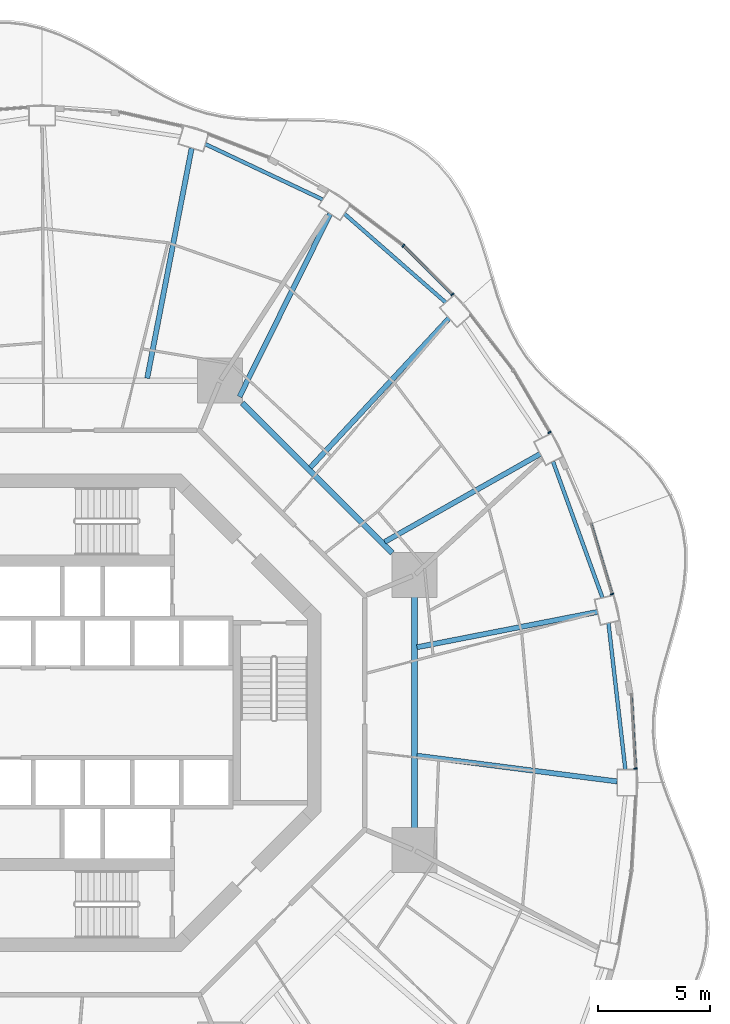
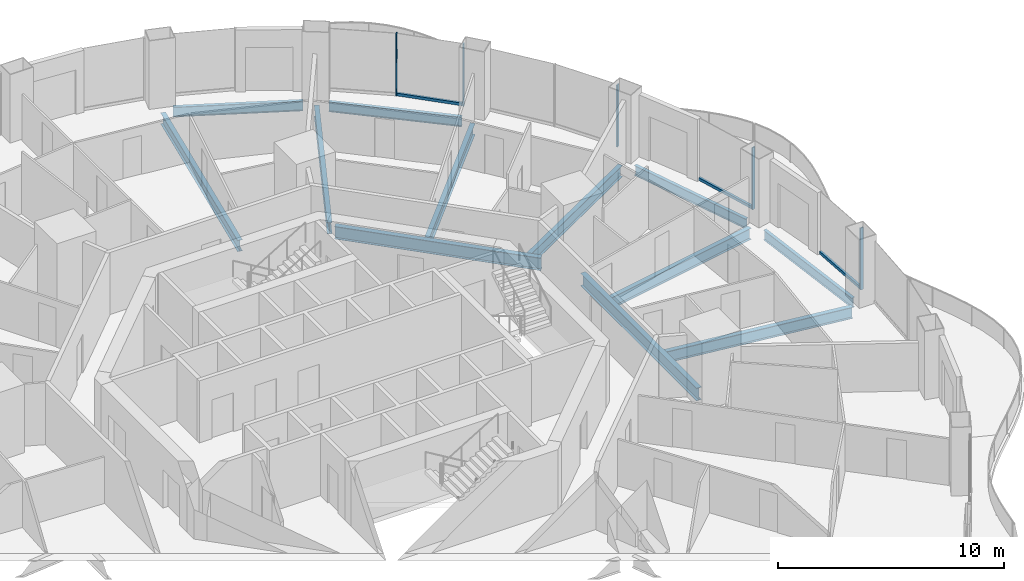
# One storey, part 9 of 21: 12 beams, 8 members, 5 elements without a shape of their own.
"""IFC4 building model written with IfcOpenShell, lengths in metres."""

from ifc_helpers import new_model, si_unit, direction, frame, origin, origin_2d, place, context, subcontext, project, spatial, rectangle, i_section, extrude, material, layer, layer_set, material_profile, profile_set, type_object, element, aggregate, save


model = new_model("IFC4")

# Units and contexts
model_context = context("Model", 3, precision=1e-05, world=origin(), true_north=direction((0.0, 1.0)))
body_context = subcontext(model_context, "Body", "Model", "MODEL_VIEW")
ifc_project = project(units=[si_unit("LENGTHUNIT", "METRE"), si_unit("AREAUNIT", "SQUARE_METRE"), si_unit("VOLUMEUNIT", "CUBIC_METRE"), si_unit("PLANEANGLEUNIT", "RADIAN"), si_unit("MASSUNIT", "GRAM", prefix="KILO")], contexts=[model_context])

# Site, building, storey
site_placement = place(None, origin())
site = spatial("IfcSite", under=ifc_project, at=site_placement, CompositionType="ELEMENT")
building_placement = place(site_placement, origin())
building = spatial("IfcBuilding", under=site, at=building_placement, Name="Nagisa Residences", CompositionType="ELEMENT")
storey_placement = place(building_placement, frame((0.0, 0.0, 156.60009765625)))
storey = spatial("IfcBuildingStorey", under=building, at=storey_placement, Name="L39", CompositionType="ELEMENT", Elevation=156.60009765625)

# Curtain wall, member
ifc_material_1 = material(Name="Concrete-coloured aluminium curtain wall system", Category="concrete")
ifc_layer = layer(ifc_material_1, 0.159912109375)
ifc_layer_set = layer_set([ifc_layer], Name="CW1 CURTAIN WALL")
curtain_wall_type = type_object("IfcCurtainWallType", Name="CW1 CURTAIN WALL", PredefinedType="NOTDEFINED", material=ifc_layer_set)
curtain_wall_1_placement = place(storey_placement, origin())
curtain_wall_1 = element("IfcCurtainWall", 1, at=curtain_wall_1_placement, inside=storey, type_object=curtain_wall_type, Name="cw:CW1:L39:00", PredefinedType="NOTDEFINED")
ifc_material_2 = material(Name="Concrete-coloured aluminium", Category="concrete")
ifc_material_profile_1 = material_profile(ifc_material_2, rectangle(XDim=0.159912109375, YDim=0.06005859375, at=origin_2d()), Name="CW1 MULLION 160x60")
ifc_profile_set_1 = profile_set([ifc_material_profile_1], Name="Concrete-coloured aluminium")
member_type_1 = type_object("IfcMemberType", Name="CW1 MULLION 160x60", PredefinedType="MULLION", material=ifc_profile_set_1)
member_1_placement = place(storey_placement, frame((24.618896484375, -2.493408203125, 0.0), z_axis=(0.0, 0.0, 1.0), x_axis=(-0.998345305184, -0.057503492216, 0.0)))
member_1 = element("IfcMember", 2, at=member_1_placement, type_object=member_type_1, Name="CW1 mullion", PredefinedType="MULLION", context=body_context, shape_type="SweptSolid", body=[
    extrude(rectangle(XDim=0.159912109375, YDim=0.06005859375, at=origin_2d()), origin(), (0.0, 0.0, 1.0), 3.349853515625),
])

curtain_wall_2_placement = place(storey_placement, origin())
curtain_wall_2 = element("IfcCurtainWall", 3, at=curtain_wall_2_placement, inside=storey, type_object=curtain_wall_type, Name="cw:CW1:L39:02", PredefinedType="NOTDEFINED")
member_2_placement = place(storey_placement, frame((23.573974609375, 5.278076171875, 0.0), z_axis=(0.0, 0.0, 1.0), x_axis=(-0.958271310082, -0.285860274038, 0.0)))
member_2 = element("IfcMember", 4, at=member_2_placement, type_object=member_type_1, Name="CW1 mullion", PredefinedType="MULLION", context=body_context, shape_type="SweptSolid", body=[
    extrude(rectangle(XDim=0.159912109375, YDim=0.06005859375, at=origin_2d()), origin(), (0.0, 0.0, 1.0), 3.349853515625),
])

curtain_wall_3_placement = place(storey_placement, origin())
curtain_wall_3 = element("IfcCurtainWall", 5, at=curtain_wall_3_placement, inside=storey, type_object=curtain_wall_type, Name="cw:CW1:L39:04", PredefinedType="NOTDEFINED")
member_3_placement = place(storey_placement, frame((20.7919921875, 12.482666015625, 0.0), z_axis=(0.0, 0.0, 1.0), x_axis=(-0.862328898214, -0.506348567002, 0.0)))
member_3 = element("IfcMember", 6, at=member_3_placement, type_object=member_type_1, Name="CW1 mullion", PredefinedType="MULLION", context=body_context, shape_type="SweptSolid", body=[
    extrude(rectangle(XDim=0.159912109375, YDim=0.06005859375, at=origin_2d()), origin(), (0.0, 0.0, 1.0), 3.349853515625),
])
aggregate(curtain_wall_3, [member_3])

curtain_wall_4_placement = place(storey_placement, origin())
curtain_wall_4 = element("IfcCurtainWall", 7, at=curtain_wall_4_placement, inside=storey, type_object=curtain_wall_type, Name="cw:CW1:L39:06", PredefinedType="NOTDEFINED")
member_4_placement = place(storey_placement, frame((16.460693359375, 18.621826171875, 0.0), z_axis=(0.0, 0.0, 1.0), x_axis=(-0.706376885714, -0.707835924016, 0.0)))
member_4 = element("IfcMember", 8, at=member_4_placement, type_object=member_type_1, Name="CW1 mullion", PredefinedType="MULLION", context=body_context, shape_type="SweptSolid", body=[
    extrude(rectangle(XDim=0.159912109375, YDim=0.06005859375, at=origin_2d()), origin(), (0.0, 0.0, 1.0), 3.349853515625),
])

curtain_wall_5_placement = place(storey_placement, origin())
curtain_wall_5 = element("IfcCurtainWall", 9, at=curtain_wall_5_placement, inside=storey, type_object=curtain_wall_type, Name="cw:CW1:L39:07", PredefinedType="NOTDEFINED")
member_5_placement = place(storey_placement, frame((14.28125, 20.7919921875, 0.0), z_axis=(0.0, 0.0, 1.0), x_axis=(-0.605255421737, -0.79603132756, 0.0)))
member_5 = element("IfcMember", 10, at=member_5_placement, type_object=member_type_1, Name="CW1 mullion", PredefinedType="MULLION", context=body_context, shape_type="SweptSolid", body=[
    extrude(rectangle(XDim=0.159912109375, YDim=0.06005859375, at=origin_2d()), origin(), (0.0, 0.0, 1.0), 3.349853515625),
])
aggregate(curtain_wall_5, [member_5])

# Member
ifc_material_3 = material(Name="Concrete-coloured aluminium", Category="concrete")
ifc_material_profile_2 = material_profile(ifc_material_3, rectangle(XDim=0.1201171875, YDim=0.14990234375, at=origin_2d()), Name="CW1 TRANSOM 120x150")
ifc_profile_set_2 = profile_set([ifc_material_profile_2], Name="Concrete-coloured aluminium")
member_type_2 = type_object("IfcMemberType", Name="CW1 TRANSOM 120x150", PredefinedType="USERDEFINED", material=ifc_profile_set_2)
member_6_placement = place(storey_placement, frame((24.62060546875, -2.523193359375, 0.074951171875), z_axis=(-0.057469329432, 0.998347272333, 0.0), x_axis=(-0.998347272333, -0.057469329432, 0.0)))
member_6 = element("IfcMember", 11, at=member_6_placement, type_object=member_type_2, Name="CW1 transom", ObjectType="TRANSOM", PredefinedType="USERDEFINED", context=body_context, shape_type="SweptSolid", body=[
    extrude(rectangle(XDim=0.1201171875, YDim=0.14990234375, at=origin_2d()), origin(), (0.0, 0.0, 1.0), 3.34765625),
])

aggregate(curtain_wall_1, [member_1, member_6])

member_7_placement = place(storey_placement, frame((23.582763671875, 5.24951171875, 0.074951171875), z_axis=(-0.285909915381, 0.958256500258, 0.0), x_axis=(-0.958256500258, -0.285909915381, 0.0)))
member_7 = element("IfcMember", 12, at=member_7_placement, type_object=member_type_2, Name="CW1 transom", ObjectType="TRANSOM", PredefinedType="USERDEFINED", context=body_context, shape_type="SweptSolid", body=[
    extrude(rectangle(XDim=0.1201171875, YDim=0.14990234375, at=origin_2d()), origin(), (0.0, 0.0, 1.0), 3.302978515625),
])

aggregate(curtain_wall_2, [member_2, member_7])

member_8_placement = place(storey_placement, frame((16.48193359375, 18.6005859375, 0.074951171875), z_axis=(-0.707857739375, 0.706355024621, 0.0), x_axis=(-0.706355024621, -0.707857739375, 0.0)))
member_8 = element("IfcMember", 13, at=member_8_placement, type_object=member_type_2, Name="CW1 transom", ObjectType="TRANSOM", PredefinedType="USERDEFINED", context=body_context, shape_type="SweptSolid", body=[
    extrude(rectangle(XDim=0.1201171875, YDim=0.14990234375, at=origin_2d()), origin(), (0.0, 0.0, 1.0), 3.0869140625),
])

aggregate(curtain_wall_4, [member_4, member_8])

# Beams
ifc_material_4 = material(Name="Steel ASTM A572 Gr 50", Category="steel")
ifc_material_profile_3 = material_profile(ifc_material_4, i_section(OverallWidth=0.25390625, OverallDepth=0.68408203125, WebThickness=0.012451171875, FlangeThickness=0.018798828125, at=origin_2d()), Name="W690x140")
ifc_profile_set_3 = profile_set([ifc_material_profile_3], Name="Steel ASTM A572 Gr 50")
beam_type_1 = type_object("IfcBeamType", Name="Inner ring beam W690x140", PredefinedType="BEAM", material=ifc_profile_set_3)
beam_1_placement = place(storey_placement, frame((13.796142578125, 7.10888671875, -0.60205078125), z_axis=(-0.707106781187, 0.707106781187, 0.0), x_axis=(-0.707106781187, -0.707106781187, 0.0)))
element("IfcBeam", 14, at=beam_1_placement, inside=storey, type_object=beam_type_1, Name="beam:L39:ib1", PredefinedType="BEAM", context=body_context, shape_type="SweptSolid", body=[
    extrude(i_section(OverallWidth=0.25390625, OverallDepth=0.68408203125, WebThickness=0.012451171875, FlangeThickness=0.018798828125, at=origin_2d()), origin(), (0.0, 0.0, 1.0), 9.457275390625),
])
beam_2_placement = place(storey_placement, frame((14.781982421875, -5.142822265625, -0.60205078125), z_axis=(0.0, 1.0, 0.0), x_axis=(-1.0, 0.0, 0.0)))
element("IfcBeam", 15, at=beam_2_placement, inside=storey, type_object=beam_type_1, Name="beam:L39:ib8", PredefinedType="BEAM", context=body_context, shape_type="SweptSolid", body=[
    extrude(i_section(OverallWidth=0.25390625, OverallDepth=0.68408203125, WebThickness=0.012451171875, FlangeThickness=0.018798828125, at=origin_2d()), origin(), (0.0, 0.0, 1.0), 10.28564453125),
])
ifc_material_5 = material(Name="Steel ASTM A572 Gr 50", Category="steel")
ifc_material_profile_4 = material_profile(ifc_material_5, i_section(OverallWidth=0.166015625, OverallDepth=0.534912109375, WebThickness=0.01025390625, FlangeThickness=0.0166015625, at=origin_2d()), Name="W530x85")
ifc_profile_set_4 = profile_set([ifc_material_profile_4], Name="Steel ASTM A572 Gr 50")
beam_type_2 = type_object("IfcBeamType", Name="Perimeter ring beam W530x85", PredefinedType="BEAM", material=ifc_profile_set_4)
beam_3_placement = place(storey_placement, frame((24.16796875, -2.53759765625, -0.527587890625), z_axis=(-0.114660786771, 0.993404703017, 0.0), x_axis=(-0.993404703017, -0.114660786771, 0.0)))
element("IfcBeam", 16, at=beam_3_placement, inside=storey, type_object=beam_type_2, Name="beam:L39:pb01", PredefinedType="BEAM", context=body_context, shape_type="SweptSolid", body=[
    extrude(i_section(OverallWidth=0.166015625, OverallDepth=0.534912109375, WebThickness=0.01025390625, FlangeThickness=0.0166015625, at=origin_2d()), origin(), (0.0, 0.0, 1.0), 6.568603515625),
])
beam_4_placement = place(storey_placement, frame((23.1484375, 5.116943359375, -0.527587890625), z_axis=(-0.341332802315, 0.93994250785, 0.0), x_axis=(-0.93994250785, -0.341332802315, 0.0)))
element("IfcBeam", 17, at=beam_4_placement, inside=storey, type_object=beam_type_2, Name="beam:L39:pb02", PredefinedType="BEAM", context=body_context, shape_type="SweptSolid", body=[
    extrude(i_section(OverallWidth=0.166015625, OverallDepth=0.534912109375, WebThickness=0.01025390625, FlangeThickness=0.0166015625, at=origin_2d()), origin(), (0.0, 0.0, 1.0), 6.450927734375),
])
beam_5_placement = place(storey_placement, frame((16.169189453125, 18.26513671875, -0.527587890625), z_axis=(-0.752503526528, 0.658588219272, 0.0), x_axis=(-0.658588219272, -0.752503526528, 0.0)))
element("IfcBeam", 18, at=beam_5_placement, inside=storey, type_object=beam_type_2, Name="beam:L39:pb04", PredefinedType="BEAM", context=body_context, shape_type="SweptSolid", body=[
    extrude(i_section(OverallWidth=0.166015625, OverallDepth=0.534912109375, WebThickness=0.01025390625, FlangeThickness=0.0166015625, at=origin_2d()), origin(), (0.0, 0.0, 1.0), 5.99462890625),
])
beam_6_placement = place(storey_placement, frame((10.687744140625, 22.84912109375, -0.527587890625), z_axis=(-0.904169699539, 0.427173447719, 0.0), x_axis=(-0.427173447719, -0.904169699539, 0.0)))
element("IfcBeam", 19, at=beam_6_placement, inside=storey, type_object=beam_type_2, Name="beam:L39:pb05", PredefinedType="BEAM", context=body_context, shape_type="SweptSolid", body=[
    extrude(i_section(OverallWidth=0.166015625, OverallDepth=0.534912109375, WebThickness=0.01025390625, FlangeThickness=0.0166015625, at=origin_2d()), origin(), (0.0, 0.0, 1.0), 5.7724609375),
])
ifc_material_6 = material(Name="Steel ASTM A572 Gr 50", Category="steel")
ifc_material_profile_5 = material_profile(ifc_material_6, i_section(OverallWidth=0.22900390625, OverallDepth=0.612060546875, WebThickness=0.011962890625, FlangeThickness=0.01953125, at=origin_2d()), Name="W610x125")
ifc_profile_set_5 = profile_set([ifc_material_profile_5], Name="Steel ASTM A572 Gr 50")
beam_type_3 = type_object("IfcBeamType", Name="Radial beam W610x125", PredefinedType="BEAM", material=ifc_profile_set_5)
beam_7_placement = place(storey_placement, frame((23.804931640625, -3.062255859375, -0.566162109375), z_axis=(-0.991829934558, 0.127567162371, 0.0), x_axis=(-0.127567162371, -0.991829934558, 0.0)))
element("IfcBeam", 20, at=beam_7_placement, inside=storey, type_object=beam_type_3, Name="beam:L39:rb01", PredefinedType="BEAM", context=body_context, shape_type="SweptSolid", body=[
    extrude(i_section(OverallWidth=0.22900390625, OverallDepth=0.612060546875, WebThickness=0.011962890625, FlangeThickness=0.01953125, at=origin_2d()), origin(), (0.0, 0.0, 1.0), 8.9892578125),
])
beam_8_placement = place(storey_placement, frame((22.925537109375, 4.4853515625, -0.566162109375), z_axis=(-0.981393143406, -0.192009109355, 0.0), x_axis=(0.192009109355, -0.981393143406, 0.0)))
element("IfcBeam", 21, at=beam_8_placement, inside=storey, type_object=beam_type_3, Name="beam:L39:rb02", PredefinedType="BEAM", context=body_context, shape_type="SweptSolid", body=[
    extrude(i_section(OverallWidth=0.22900390625, OverallDepth=0.612060546875, WebThickness=0.011962890625, FlangeThickness=0.01953125, at=origin_2d()), origin(), (0.0, 0.0, 1.0), 8.1884765625),
])
beam_9_placement = place(storey_placement, frame((20.372314453125, 11.51806640625, -0.566162109375), z_axis=(-0.870505636565, -0.492158446751, 0.0), x_axis=(0.492158446751, -0.870505636565, 0.0)))
element("IfcBeam", 22, at=beam_9_placement, inside=storey, type_object=beam_type_3, Name="beam:L39:rb03", PredefinedType="BEAM", context=body_context, shape_type="SweptSolid", body=[
    extrude(i_section(OverallWidth=0.22900390625, OverallDepth=0.612060546875, WebThickness=0.011962890625, FlangeThickness=0.01953125, at=origin_2d()), origin(), (0.0, 0.0, 1.0), 7.949951171875),
])
beam_10_placement = place(storey_placement, frame((16.315185546875, 17.56298828125, -0.566162109375), z_axis=(-0.680605908425, -0.7326497099, 0.0), x_axis=(0.7326497099, -0.680605908425, 0.0)))
element("IfcBeam", 23, at=beam_10_placement, inside=storey, type_object=beam_type_3, Name="beam:L39:rb04", PredefinedType="BEAM", context=body_context, shape_type="SweptSolid", body=[
    extrude(i_section(OverallWidth=0.22900390625, OverallDepth=0.612060546875, WebThickness=0.011962890625, FlangeThickness=0.01953125, at=origin_2d()), origin(), (0.0, 0.0, 1.0), 9.072509765625),
])
beam_11_placement = place(storey_placement, frame((11.02490234375, 22.2109375, -0.566162109375), z_axis=(-0.444599872799, -0.895729285614, 0.0), x_axis=(0.895729285614, -0.444599872799, 0.0)))
element("IfcBeam", 24, at=beam_11_placement, inside=storey, type_object=beam_type_3, Name="beam:L39:rb05", PredefinedType="BEAM", context=body_context, shape_type="SweptSolid", body=[
    extrude(i_section(OverallWidth=0.22900390625, OverallDepth=0.612060546875, WebThickness=0.011962890625, FlangeThickness=0.01953125, at=origin_2d()), origin(), (0.0, 0.0, 1.0), 9.085693359375),
])
beam_12_placement = place(storey_placement, frame((4.8564453125, 25.140869140625, -0.566162109375), z_axis=(-0.189659094365, -0.981850002762, 0.0), x_axis=(0.981850002762, -0.189659094365, 0.0)))
element("IfcBeam", 25, at=beam_12_placement, inside=storey, type_object=beam_type_3, Name="beam:L39:rb06", PredefinedType="BEAM", context=body_context, shape_type="SweptSolid", body=[
    extrude(i_section(OverallWidth=0.22900390625, OverallDepth=0.612060546875, WebThickness=0.011962890625, FlangeThickness=0.01953125, at=origin_2d()), origin(), (0.0, 0.0, 1.0), 10.44091796875),
])

save(model, "model.ifc")
